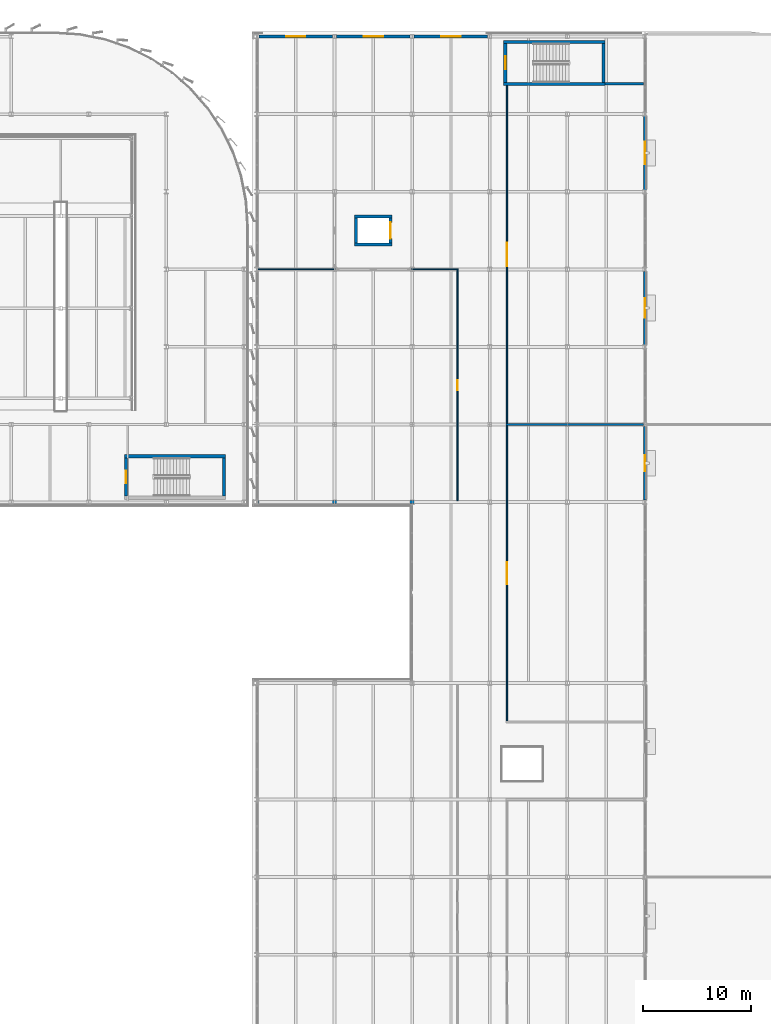
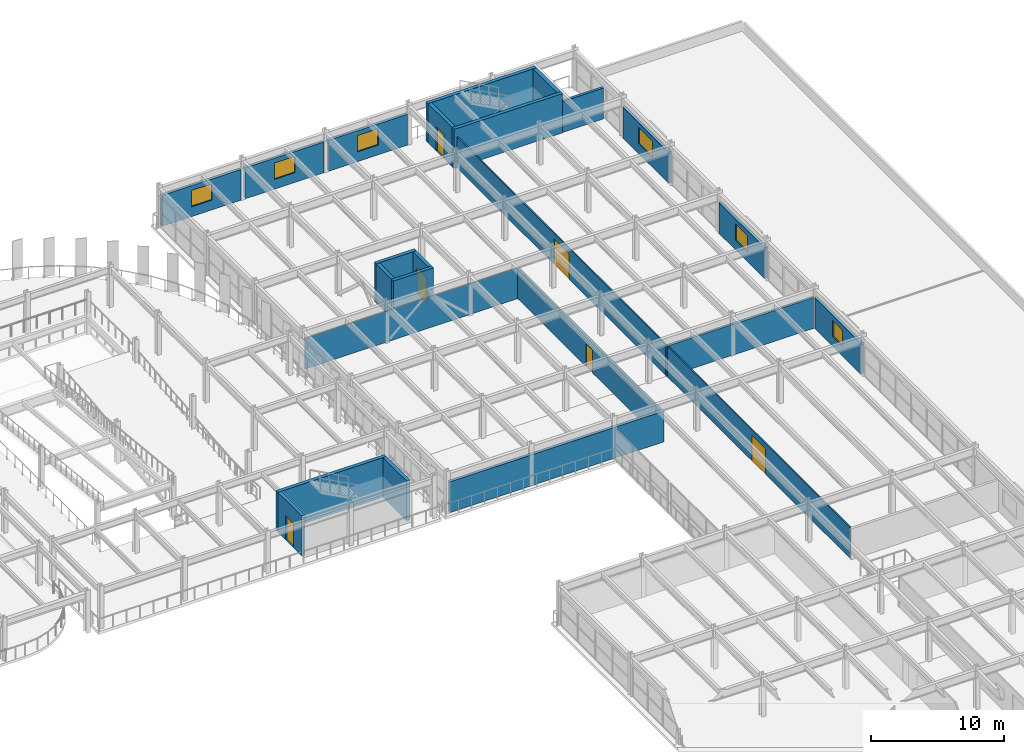
# One storey, part 56 of 80: 24 walls, 6 doors, 6 windows, 12 openings.
"""IFC4 building model written with IfcOpenShell, lengths in metres."""

from ifc_helpers import new_model, si_unit, direction, frame, frame_2d, origin, place, context, subcontext, project, spatial, rectangle, extrude, material, layer, layer_set, type_object, element, fill, save


model = new_model("IFC4")

# Units and contexts
model_context = context("Model", 3, precision=1e-05, world=origin(), true_north=direction((0.0, 1.0)))
body_context = subcontext(model_context, "Body", "Model", "MODEL_VIEW")
ifc_project = project(units=[si_unit("LENGTHUNIT", "METRE"), si_unit("AREAUNIT", "SQUARE_METRE"), si_unit("VOLUMEUNIT", "CUBIC_METRE"), si_unit("PLANEANGLEUNIT", "RADIAN"), si_unit("MASSUNIT", "GRAM", prefix="KILO")], contexts=[model_context])

# Site, building, storey
site_placement = place(None, origin())
site = spatial("IfcSite", under=ifc_project, at=site_placement, CompositionType="ELEMENT")
building_placement = place(site_placement, origin())
building = spatial("IfcBuilding", under=site, at=building_placement, Name="Vaelcorin Mobility Hub", CompositionType="ELEMENT")
storey_placement = place(building_placement, frame((0.0, 0.0, 9.300048828125)))
storey = spatial("IfcBuildingStorey", under=building, at=storey_placement, Name="L02", CompositionType="ELEMENT", Elevation=9.300048828125)

# Wall
ifc_material_1 = material(Name="Reinforced concrete f'c 45 MPa", Category="concrete")
ifc_layer_1 = layer(ifc_material_1, 0.300048828125)
ifc_layer_set_1 = layer_set([ifc_layer_1], Name="Reinforced concrete f'c 45 MPa")
wall_type_1 = type_object("IfcWallType", Name="WL-CORE-300", PredefinedType="SOLIDWALL", material=ifc_layer_set_1)
wall_1_placement = place(storey_placement, frame((141.300048828125, 81.06005859375, 0.0), z_axis=(0.0, 0.0, 1.0), x_axis=(1.0, 0.0, 0.0)))
element("IfcWall", 1, at=wall_1_placement, inside=storey, type_object=wall_type_1, Name="ST2 Fire Core Wall L02 North", PredefinedType="SOLIDWALL", context=body_context, shape_type="SweptSolid", body=[
    extrude(rectangle(XDim=9.39990234375, YDim=0.300048828125, at=frame_2d((4.699951171875, 0.0))), origin(), (0.0, 0.0, 1.0), 3.64990234375),
])

# Wall, opening, door
wall_2_placement = place(storey_placement, frame((141.449951171875, 77.35009765625, 0.0), z_axis=(0.0, 0.0, 1.0), x_axis=(0.0, 1.0, 0.0)))
wall_2 = element("IfcWall", 2, at=wall_2_placement, inside=storey, type_object=wall_type_1, Name="ST2 Fire Core Wall L02 West", PredefinedType="SOLIDWALL", context=body_context, shape_type="SweptSolid", body=[
    extrude(rectangle(XDim=3.559814453125, YDim=0.300048828125, at=frame_2d((1.77978515625, 0.0))), origin(), (0.0, 0.0, 1.0), 3.64990234375),
])
opening_1_placement = place(wall_2_placement, frame((1.179931640625, 0.0, 0.0)))
opening_1 = element("IfcOpeningElement", 3, at=opening_1_placement, cuts=wall_2, Name="Opening SD01", PredefinedType="OPENING", context=body_context, shape_type="SweptSolid", body=[
    extrude(rectangle(XDim=1.199951171875, YDim=2.199951171875, at=frame_2d((0.60009765625, 1.10009765625))), frame((0.0, 0.159912109375, 0.0), z_axis=(0.0, -1.0, 0.0), x_axis=(1.0, 0.0, 0.0)), (0.0, 0.0, 1.0), 0.320068359375),
])
ifc_material_2 = material(Name="Hollow-metal insulated steel fire door", Category="steel")
door_type_1 = type_object("IfcDoorType", Name="DR-STAIR-90", OperationType="NOTDEFINED", PredefinedType="DOOR", material=ifc_material_2)
door_1_placement = place(opening_1_placement, origin())
door_1 = element("IfcDoor", 4, at=door_1_placement, inside=storey, type_object=door_type_1, Name="ST2 Protected Stair Door L02", OperationType="SINGLE_SWING_RIGHT", OverallHeight=2.199951171875, OverallWidth=1.199951171875, PredefinedType="DOOR", context=body_context, shape_type="SweptSolid", body=[
    extrude(rectangle(XDim=1.199951171875, YDim=2.199951171875, at=frame_2d((0.60009765625, 1.10009765625))), frame((0.0, 0.02490234375, 0.0), z_axis=(0.0, -1.0, 0.0), x_axis=(1.0, 0.0, 0.0)), (0.0, 0.0, 1.0), 0.050048828125),
])
fill(opening_1, door_1)

# Walls
wall_3_placement = place(storey_placement, frame((150.550048828125, 80.909912109375, 0.0), z_axis=(0.0, 0.0, 1.0), x_axis=(0.0, -1.0, 0.0)))
element("IfcWall", 5, at=wall_3_placement, inside=storey, type_object=wall_type_1, Name="ST2 Fire Core Wall L02 East", PredefinedType="SOLIDWALL", context=body_context, shape_type="SweptSolid", body=[
    extrude(rectangle(XDim=3.559814453125, YDim=0.300048828125, at=frame_2d((1.77978515625, 0.0))), origin(), (0.0, 0.0, 1.0), 3.64990234375),
])
for number, where, z_axis, x_axis, name in (
    (6, (185.89990234375, 115.60009765625, 0.0), (0.0, 0.0, 1.0), (-1.0, 0.0, 0.0), "ST6 Fire Core Wall L02 South"),
    (7, (176.5, 119.5, 0.0), (0.0, 0.0, 1.0), (1.0, 0.0, 0.0), "ST6 Fire Core Wall L02 North"),
):
    element("IfcWall", number, at=place(storey_placement, frame(where, z_axis=z_axis, x_axis=x_axis)), inside=storey, type_object=wall_type_1, Name=name, PredefinedType="SOLIDWALL", context=body_context, shape_type="SweptSolid", body=[
        extrude(rectangle(XDim=9.39990234375, YDim=0.300048828125, at=frame_2d((4.699951171875, 0.0))), origin(), (0.0, 0.0, 1.0), 3.599853515625),
    ])

# Wall, opening, door
wall_4_placement = place(storey_placement, frame((176.64990234375, 115.75, 0.0), z_axis=(0.0, 0.0, 1.0), x_axis=(0.0, 1.0, 0.0)))
wall_4 = element("IfcWall", 8, at=wall_4_placement, inside=storey, type_object=wall_type_1, Name="ST6 Fire Core Wall L02 West", PredefinedType="SOLIDWALL", context=body_context, shape_type="SweptSolid", body=[
    extrude(rectangle(XDim=3.60009765625, YDim=0.300048828125, at=frame_2d((1.800048828125, 0.0))), origin(), (0.0, 0.0, 1.0), 3.599853515625),
])
opening_2_placement = place(wall_4_placement, frame((1.199951171875, 0.0, 0.0)))
opening_2 = element("IfcOpeningElement", 9, at=opening_2_placement, cuts=wall_4, Name="Opening SD01", PredefinedType="OPENING", context=body_context, shape_type="SweptSolid", body=[
    extrude(rectangle(XDim=1.199951171875, YDim=2.199951171875, at=frame_2d((0.60009765625, 1.10009765625))), frame((0.0, 0.159912109375, 0.0), z_axis=(0.0, -1.0, 0.0), x_axis=(1.0, 0.0, 0.0)), (0.0, 0.0, 1.0), 0.320068359375),
])
door_2_placement = place(opening_2_placement, origin())
door_2 = element("IfcDoor", 10, at=door_2_placement, inside=storey, type_object=door_type_1, Name="ST6 Protected Stair Door L02", OperationType="SINGLE_SWING_LEFT", OverallHeight=2.199951171875, OverallWidth=1.199951171875, PredefinedType="DOOR", context=body_context, shape_type="SweptSolid", body=[
    extrude(rectangle(XDim=1.199951171875, YDim=2.199951171875, at=frame_2d((0.60009765625, 1.10009765625))), frame((0.0, 0.02490234375, 0.0), z_axis=(0.0, -1.0, 0.0), x_axis=(1.0, 0.0, 0.0)), (0.0, 0.0, 1.0), 0.050048828125),
])
fill(opening_2, door_2)

# Wall
wall_5_placement = place(storey_placement, frame((185.75, 119.35009765625, 0.0), z_axis=(0.0, 0.0, 1.0), x_axis=(0.0, -1.0, 0.0)))
element("IfcWall", 11, at=wall_5_placement, inside=storey, type_object=wall_type_1, Name="ST6 Fire Core Wall L02 East", PredefinedType="SOLIDWALL", context=body_context, shape_type="SweptSolid", body=[
    extrude(rectangle(XDim=3.60009765625, YDim=0.300048828125, at=frame_2d((1.800048828125, 0.0))), origin(), (0.0, 0.0, 1.0), 3.599853515625),
])

# Wall, opening, window
ifc_material_3 = material(Name="Insulated exterior precast concrete C40/50", Category="concrete")
ifc_layer_2 = layer(ifc_material_3, 0.260009765625)
ifc_layer_set_2 = layer_set([ifc_layer_2], Name="Insulated exterior precast concrete C40/50")
wall_type_2 = type_object("IfcWallType", Name="WL-EXT-260", PredefinedType="STANDARD", material=ifc_layer_set_2)
wall_6_placement = place(storey_placement, frame((189.60009765625, 83.820068359375, 0.0), z_axis=(0.0, 0.0, 1.0), x_axis=(0.0, -1.0, 0.0)))
wall_6 = element("IfcWall", 12, at=wall_6_placement, inside=storey, type_object=wall_type_2, Name="L02 Exterior Wall V5-EW-L02-E-09", PredefinedType="STANDARD", context=body_context, shape_type="SweptSolid", body=[
    extrude(rectangle(XDim=6.840087890625, YDim=0.260009765625, at=frame_2d((3.419921875, 0.0))), origin(), (0.0, 0.0, 1.0), 2.827880859375),
])
opening_3_placement = place(wall_6_placement, frame((2.669921875, 0.0, 0.89990234375)))
opening_3 = element("IfcOpeningElement", 13, at=opening_3_placement, cuts=wall_6, Name="Opening WN13", PredefinedType="OPENING", context=body_context, shape_type="SweptSolid", body=[
    extrude(rectangle(XDim=1.5, YDim=1.5, at=frame_2d((0.75, 0.75))), frame((0.0, 0.139892578125, 0.0), z_axis=(0.0, -1.0, 0.0), x_axis=(1.0, 0.0, 0.0)), (0.0, 0.0, 1.0), 0.280029296875),
])
ifc_material_4 = material(Name="Double-glazed low-E window unit", Category="glass")
window_type_1 = type_object("IfcWindowType", Name="WIN-1500X1500", PartitioningType="SINGLE_PANEL", PredefinedType="WINDOW", material=ifc_material_4)
window_1_placement = place(opening_3_placement, origin())
window_1 = element("IfcWindow", 14, at=window_1_placement, inside=storey, type_object=window_type_1, Name="L02 Window V5-EW-L02-E-09-WN", OverallHeight=1.5, OverallWidth=1.5, PartitioningType="SINGLE_PANEL", PredefinedType="WINDOW", context=body_context, shape_type="SweptSolid", body=[
    extrude(rectangle(XDim=1.5, YDim=1.5, at=frame_2d((0.75, 0.75))), frame((0.0, 0.030029296875, 0.0), z_axis=(0.0, -1.0, 0.0), x_axis=(1.0, 0.0, 0.0)), (0.0, 0.0, 1.0), 0.06005859375),
])
fill(opening_3, window_1)

wall_7_placement = place(storey_placement, frame((189.60009765625, 98.219970703125, 0.0), z_axis=(0.0, 0.0, 1.0), x_axis=(0.0, -1.0, 0.0)))
wall_7 = element("IfcWall", 15, at=wall_7_placement, inside=storey, type_object=wall_type_2, Name="L02 Exterior Wall V5-EW-L02-E-11", PredefinedType="STANDARD", context=body_context, shape_type="SweptSolid", body=[
    extrude(rectangle(XDim=6.840087890625, YDim=0.260009765625, at=frame_2d((3.419921875, 0.0))), origin(), (0.0, 0.0, 1.0), 2.827880859375),
])
opening_4_placement = place(wall_7_placement, frame((2.52001953125, 0.0, 0.89990234375)))
opening_4 = element("IfcOpeningElement", 16, at=opening_4_placement, cuts=wall_7, Name="Opening WN12", PredefinedType="OPENING", context=body_context, shape_type="SweptSolid", body=[
    extrude(rectangle(XDim=1.800048828125, YDim=1.5, at=frame_2d((0.89990234375, 0.75))), frame((0.0, 0.139892578125, 0.0), z_axis=(0.0, -1.0, 0.0), x_axis=(1.0, 0.0, 0.0)), (0.0, 0.0, 1.0), 0.280029296875),
])
window_type_2 = type_object("IfcWindowType", Name="WIN-1800X1500", PartitioningType="SINGLE_PANEL", PredefinedType="WINDOW", material=ifc_material_4)
window_2_placement = place(opening_4_placement, origin())
window_2 = element("IfcWindow", 17, at=window_2_placement, inside=storey, type_object=window_type_2, Name="L02 Window V5-EW-L02-E-11-WN", OverallHeight=1.5, OverallWidth=1.800048828125, PartitioningType="SINGLE_PANEL", PredefinedType="WINDOW", context=body_context, shape_type="SweptSolid", body=[
    extrude(rectangle(XDim=1.800048828125, YDim=1.5, at=frame_2d((0.89990234375, 0.75))), frame((0.0, 0.030029296875, 0.0), z_axis=(0.0, -1.0, 0.0), x_axis=(1.0, 0.0, 0.0)), (0.0, 0.0, 1.0), 0.06005859375),
])
fill(opening_4, window_2)

wall_8_placement = place(storey_placement, frame((189.60009765625, 112.6201171875, 0.0), z_axis=(0.0, 0.0, 1.0), x_axis=(0.0, -1.0, 0.0)))
wall_8 = element("IfcWall", 18, at=wall_8_placement, inside=storey, type_object=wall_type_2, Name="L02 Exterior Wall V5-EW-L02-E-13", PredefinedType="STANDARD", context=body_context, shape_type="SweptSolid", body=[
    extrude(rectangle(XDim=6.840087890625, YDim=0.260009765625, at=frame_2d((3.419921875, 0.0))), origin(), (0.0, 0.0, 1.0), 2.827880859375),
])
opening_5_placement = place(wall_8_placement, frame((2.3701171875, 0.0, 0.89990234375)))
opening_5 = element("IfcOpeningElement", 19, at=opening_5_placement, cuts=wall_8, Name="Opening WN19", PredefinedType="OPENING", context=body_context, shape_type="SweptSolid", body=[
    extrude(rectangle(XDim=2.10009765625, YDim=1.5, at=frame_2d((1.050048828125, 0.75))), frame((0.0, 0.139892578125, 0.0), z_axis=(0.0, -1.0, 0.0), x_axis=(1.0, 0.0, 0.0)), (0.0, 0.0, 1.0), 0.280029296875),
])
window_type_3 = type_object("IfcWindowType", Name="WIN-2100X1500", PartitioningType="SINGLE_PANEL", PredefinedType="WINDOW", material=ifc_material_4)
window_3_placement = place(opening_5_placement, origin())
window_3 = element("IfcWindow", 20, at=window_3_placement, inside=storey, type_object=window_type_3, Name="L02 Window V5-EW-L02-E-13-WN", OverallHeight=1.5, OverallWidth=2.10009765625, PartitioningType="SINGLE_PANEL", PredefinedType="WINDOW", context=body_context, shape_type="SweptSolid", body=[
    extrude(rectangle(XDim=2.10009765625, YDim=1.5, at=frame_2d((1.050048828125, 0.75))), frame((0.0, 0.030029296875, 0.0), z_axis=(0.0, -1.0, 0.0), x_axis=(1.0, 0.0, 0.0)), (0.0, 0.0, 1.0), 0.06005859375),
])
fill(opening_5, window_3)

wall_9_placement = place(storey_placement, frame((153.791015625, 120.0, 0.0), z_axis=(0.0, 0.0, 1.0), x_axis=(1.0, 0.0, 0.0)))
wall_9 = element("IfcWall", 21, at=wall_9_placement, inside=storey, type_object=wall_type_2, Name="L02 Exterior Wall V5-EW-L02-N-01", PredefinedType="STANDARD", context=body_context, shape_type="SweptSolid", body=[
    extrude(rectangle(XDim=6.81787109375, YDim=0.260009765625, at=frame_2d((3.408935546875, 0.0))), origin(), (0.0, 0.0, 1.0), 2.827880859375),
])
opening_6_placement = place(wall_9_placement, frame((2.509033203125, 0.0, 0.89990234375)))
opening_6 = element("IfcOpeningElement", 22, at=opening_6_placement, cuts=wall_9, Name="Opening WN12", PredefinedType="OPENING", context=body_context, shape_type="SweptSolid", body=[
    extrude(rectangle(XDim=1.800048828125, YDim=1.5, at=frame_2d((0.89990234375, 0.75))), frame((0.0, 0.139892578125, 0.0), z_axis=(0.0, -1.0, 0.0), x_axis=(1.0, 0.0, 0.0)), (0.0, 0.0, 1.0), 0.280029296875),
])
window_4_placement = place(opening_6_placement, origin())
window_4 = element("IfcWindow", 23, at=window_4_placement, inside=storey, type_object=window_type_2, Name="L02 Window V5-EW-L02-N-01-WN", OverallHeight=1.5, OverallWidth=1.800048828125, PartitioningType="SINGLE_PANEL", PredefinedType="WINDOW", context=body_context, shape_type="SweptSolid", body=[
    extrude(rectangle(XDim=1.800048828125, YDim=1.5, at=frame_2d((0.89990234375, 0.75))), frame((0.0, 0.030029296875, 0.0), z_axis=(0.0, -1.0, 0.0), x_axis=(1.0, 0.0, 0.0)), (0.0, 0.0, 1.0), 0.06005859375),
])
fill(opening_6, window_4)

wall_10_placement = place(storey_placement, frame((160.990966796875, 120.0, 0.0), z_axis=(0.0, 0.0, 1.0), x_axis=(1.0, 0.0, 0.0)))
wall_10 = element("IfcWall", 24, at=wall_10_placement, inside=storey, type_object=wall_type_2, Name="L02 Exterior Wall V5-EW-L02-N-02", PredefinedType="STANDARD", context=body_context, shape_type="SweptSolid", body=[
    extrude(rectangle(XDim=6.818115234375, YDim=0.260009765625, at=frame_2d((3.4091796875, 0.0))), origin(), (0.0, 0.0, 1.0), 2.827880859375),
])
opening_7_placement = place(wall_10_placement, frame((2.509033203125, 0.0, 0.89990234375)))
opening_7 = element("IfcOpeningElement", 25, at=opening_7_placement, cuts=wall_10, Name="Opening WN12", PredefinedType="OPENING", context=body_context, shape_type="SweptSolid", body=[
    extrude(rectangle(XDim=1.800048828125, YDim=1.5, at=frame_2d((0.89990234375, 0.75))), frame((0.0, 0.139892578125, 0.0), z_axis=(0.0, -1.0, 0.0), x_axis=(1.0, 0.0, 0.0)), (0.0, 0.0, 1.0), 0.280029296875),
])
window_5_placement = place(opening_7_placement, origin())
window_5 = element("IfcWindow", 26, at=window_5_placement, inside=storey, type_object=window_type_2, Name="L02 Window V5-EW-L02-N-02-WN", OverallHeight=1.5, OverallWidth=1.800048828125, PartitioningType="SINGLE_PANEL", PredefinedType="WINDOW", context=body_context, shape_type="SweptSolid", body=[
    extrude(rectangle(XDim=1.800048828125, YDim=1.5, at=frame_2d((0.89990234375, 0.75))), frame((0.0, 0.030029296875, 0.0), z_axis=(0.0, -1.0, 0.0), x_axis=(1.0, 0.0, 0.0)), (0.0, 0.0, 1.0), 0.06005859375),
])
fill(opening_7, window_5)

wall_11_placement = place(storey_placement, frame((168.19091796875, 120.0, 0.0), z_axis=(0.0, 0.0, 1.0), x_axis=(1.0, 0.0, 0.0)))
wall_11 = element("IfcWall", 27, at=wall_11_placement, inside=storey, type_object=wall_type_2, Name="L02 Exterior Wall V5-EW-L02-N-03", PredefinedType="STANDARD", context=body_context, shape_type="SweptSolid", body=[
    extrude(rectangle(XDim=6.818115234375, YDim=0.260009765625, at=frame_2d((3.4091796875, 0.0))), origin(), (0.0, 0.0, 1.0), 2.827880859375),
])
opening_8_placement = place(wall_11_placement, frame((2.509033203125, 0.0, 0.89990234375)))
opening_8 = element("IfcOpeningElement", 28, at=opening_8_placement, cuts=wall_11, Name="Opening WN12", PredefinedType="OPENING", context=body_context, shape_type="SweptSolid", body=[
    extrude(rectangle(XDim=1.800048828125, YDim=1.5, at=frame_2d((0.89990234375, 0.75))), frame((0.0, 0.139892578125, 0.0), z_axis=(0.0, -1.0, 0.0), x_axis=(1.0, 0.0, 0.0)), (0.0, 0.0, 1.0), 0.280029296875),
])
window_6_placement = place(opening_8_placement, origin())
window_6 = element("IfcWindow", 29, at=window_6_placement, inside=storey, type_object=window_type_2, Name="L02 Window V5-EW-L02-N-03-WN", OverallHeight=1.5, OverallWidth=1.800048828125, PartitioningType="SINGLE_PANEL", PredefinedType="WINDOW", context=body_context, shape_type="SweptSolid", body=[
    extrude(rectangle(XDim=1.800048828125, YDim=1.5, at=frame_2d((0.89990234375, 0.75))), frame((0.0, 0.030029296875, 0.0), z_axis=(0.0, -1.0, 0.0), x_axis=(1.0, 0.0, 0.0)), (0.0, 0.0, 1.0), 0.06005859375),
])
fill(opening_8, window_6)

# Wall, opening, door
ifc_material_5 = material(Name="Fire-rated acoustic steel-stud gypsum board", Category="steel")
ifc_layer_3 = layer(ifc_material_5, 0.10498046875)
ifc_layer_set_3 = layer_set([ifc_layer_3], Name="Fire-rated acoustic steel-stud gypsum board")
wall_type_3 = type_object("IfcWallType", Name="WL-PART-105", PredefinedType="PARTITIONING", material=ifc_layer_set_3)
wall_12_placement = place(storey_placement, frame((176.800048828125, 56.50390625, 0.0), z_axis=(0.0, 0.0, 1.0), x_axis=(0.0, 1.0, 0.0)))
wall_12 = element("IfcWall", 30, at=wall_12_placement, inside=storey, type_object=wall_type_3, Name="ITS Server and Telecoms Room Partition West", PredefinedType="PARTITIONING", context=body_context, shape_type="SweptSolid", body=[
    extrude(rectangle(XDim=27.38818359375, YDim=0.10498046875, at=frame_2d((13.694091796875, 0.0))), origin(), (0.0, 0.0, 1.0), 2.822998046875),
])
opening_9_placement = place(wall_12_placement, frame((12.6689453125, 0.0, 0.0)))
opening_9 = element("IfcOpeningElement", 31, at=opening_9_placement, cuts=wall_12, Name="Opening ID51", PredefinedType="OPENING", context=body_context, shape_type="SweptSolid", body=[
    extrude(rectangle(XDim=2.050048828125, YDim=2.340087890625, at=frame_2d((1.02490234375, 1.169921875))), frame((0.0, 0.0625, 0.0), z_axis=(0.0, -1.0, 0.0), x_axis=(1.0, 0.0, 0.0)), (0.0, 0.0, 1.0), 0.125),
])
door_type_2 = type_object("IfcDoorType", Name="DR-INT-51", OperationType="NOTDEFINED", PredefinedType="DOOR", material=ifc_material_2)
door_3_placement = place(opening_9_placement, origin())
door_3 = element("IfcDoor", 32, at=door_3_placement, inside=storey, type_object=door_type_2, Name="ITS Server and Telecoms Room Door", OperationType="SINGLE_SWING_LEFT", OverallHeight=2.340087890625, OverallWidth=2.050048828125, PredefinedType="DOOR", context=body_context, shape_type="SweptSolid", body=[
    extrude(rectangle(XDim=2.050048828125, YDim=2.340087890625, at=frame_2d((1.02490234375, 1.169921875))), frame((0.0, 0.02490234375, 0.0), z_axis=(0.0, -1.0, 0.0), x_axis=(1.0, 0.0, 0.0)), (0.0, 0.0, 1.0), 0.050048828125),
])
fill(opening_9, door_3)

ifc_layer_4 = layer(ifc_material_5, 0.110107421875)
ifc_layer_set_4 = layer_set([ifc_layer_4], Name="Fire-rated acoustic steel-stud gypsum board")
wall_type_4 = type_object("IfcWallType", Name="WL-PART-110", PredefinedType="PARTITIONING", material=ifc_layer_set_4)
wall_13_placement = place(storey_placement, frame((176.800048828125, 84.10791015625, 0.0), z_axis=(0.0, 0.0, 1.0), x_axis=(0.0, 1.0, 0.0)))
wall_13 = element("IfcWall", 33, at=wall_13_placement, inside=storey, type_object=wall_type_4, Name="East Wing Air-Handling Plant Partition West", PredefinedType="PARTITIONING", context=body_context, shape_type="SweptSolid", body=[
    extrude(rectangle(XDim=31.340087890625, YDim=0.110107421875, at=frame_2d((15.669921875, 0.0))), origin(), (0.0, 0.0, 1.0), 2.822998046875),
])
opening_10_placement = place(wall_13_placement, frame((14.570068359375, 0.0, 0.0)))
opening_10 = element("IfcOpeningElement", 34, at=opening_10_placement, cuts=wall_13, Name="Opening ID52", PredefinedType="OPENING", context=body_context, shape_type="SweptSolid", body=[
    extrude(rectangle(XDim=2.199951171875, YDim=2.340087890625, at=frame_2d((1.10009765625, 1.169921875))), frame((0.0, 0.06494140625, 0.0), z_axis=(0.0, -1.0, 0.0), x_axis=(1.0, 0.0, 0.0)), (0.0, 0.0, 1.0), 0.130126953125),
])
door_type_3 = type_object("IfcDoorType", Name="DR-INT-52", OperationType="NOTDEFINED", PredefinedType="DOOR", material=ifc_material_2)
door_4_placement = place(opening_10_placement, origin())
door_4 = element("IfcDoor", 35, at=door_4_placement, inside=storey, type_object=door_type_3, Name="East Wing Air-Handling Plant Door", OperationType="SINGLE_SWING_RIGHT", OverallHeight=2.340087890625, OverallWidth=2.199951171875, PredefinedType="DOOR", context=body_context, shape_type="SweptSolid", body=[
    extrude(rectangle(XDim=2.199951171875, YDim=2.340087890625, at=frame_2d((1.10009765625, 1.169921875))), frame((0.0, 0.02490234375, 0.0), z_axis=(0.0, -1.0, 0.0), x_axis=(1.0, 0.0, 0.0)), (0.0, 0.0, 1.0), 0.050048828125),
])
fill(opening_10, door_4)

ifc_layer_5 = layer(ifc_material_5, 0.1201171875)
ifc_layer_set_5 = layer_set([ifc_layer_5], Name="Fire-rated acoustic steel-stud gypsum board")
wall_type_5 = type_object("IfcWallType", Name="WL-PART-120", PredefinedType="PARTITIONING", material=ifc_layer_set_5)
wall_14_placement = place(storey_placement, frame((172.199951171875, 98.35107421875, 0.0), z_axis=(0.0, 0.0, 1.0), x_axis=(0.0, -1.0, 0.0)))
wall_14 = element("IfcWall", 36, at=wall_14_placement, inside=storey, type_object=wall_type_5, Name="Staff Public Restrooms and Changing Partition East", PredefinedType="PARTITIONING", context=body_context, shape_type="SweptSolid", body=[
    extrude(rectangle(XDim=21.4140625, YDim=0.1201171875, at=frame_2d((10.70703125, 0.0))), origin(), (0.0, 0.0, 1.0), 2.822998046875),
])
opening_11_placement = place(wall_14_placement, frame((10.237060546875, 0.0, 0.0)))
opening_11 = element("IfcOpeningElement", 37, at=opening_11_placement, cuts=wall_14, Name="Opening ID02", PredefinedType="OPENING", context=body_context, shape_type="SweptSolid", body=[
    extrude(rectangle(XDim=0.93994140625, YDim=2.10009765625, at=frame_2d((0.469970703125, 1.050048828125))), frame((0.0, 0.070068359375, 0.0), z_axis=(0.0, -1.0, 0.0), x_axis=(1.0, 0.0, 0.0)), (0.0, 0.0, 1.0), 0.14013671875),
])
ifc_material_6 = material(Name="Solid-core hardwood fire door assembly", Category="wood")
door_type_4 = type_object("IfcDoorType", Name="DR-INT-02", OperationType="NOTDEFINED", PredefinedType="DOOR", material=ifc_material_6)
door_5_placement = place(opening_11_placement, origin())
door_5 = element("IfcDoor", 38, at=door_5_placement, inside=storey, type_object=door_type_4, Name="Staff Public Restrooms and Changing Door", OperationType="SINGLE_SWING_RIGHT", OverallHeight=2.10009765625, OverallWidth=0.93994140625, PredefinedType="DOOR", context=body_context, shape_type="SweptSolid", body=[
    extrude(rectangle(XDim=0.93994140625, YDim=2.10009765625, at=frame_2d((0.469970703125, 1.050048828125))), frame((0.0, 0.02490234375, 0.0), z_axis=(0.0, -1.0, 0.0), x_axis=(1.0, 0.0, 0.0)), (0.0, 0.0, 1.0), 0.050048828125),
])
fill(opening_11, door_5)

# Walls
ifc_material_7 = material(Name="Reinforced acoustic concrete masonry C30/37", Category="masonry")
ifc_layer_6 = layer(ifc_material_7, 0.2119140625)
ifc_layer_set_6 = layer_set([ifc_layer_6], Name="Reinforced acoustic concrete masonry C30/37")
wall_type_6 = type_object("IfcWallType", Name="WL-PART-212", PredefinedType="PARTITIONING", material=ifc_layer_set_6)
wall_15_placement = place(storey_placement, frame((176.719970703125, 84.0, 0.0), z_axis=(0.0, 0.0, 1.0), x_axis=(1.0, 0.0, 0.0)))
element("IfcWall", 39, at=wall_15_placement, inside=storey, type_object=wall_type_6, Name="ITS Server and Telecoms Room Partition North", PredefinedType="PARTITIONING", context=body_context, shape_type="SweptSolid", body=[
    extrude(rectangle(XDim=12.748046875, YDim=0.2119140625, at=frame_2d((6.3740234375, 0.0))), origin(), (0.0, 0.0, 1.0), 2.822998046875),
])
ifc_layer_7 = layer(ifc_material_7, 0.22509765625)
ifc_layer_set_7 = layer_set([ifc_layer_7], Name="Reinforced acoustic concrete masonry C30/37")
wall_type_7 = type_object("IfcWallType", Name="WL-PART-225", PredefinedType="PARTITIONING", material=ifc_layer_set_7)
wall_16_placement = place(storey_placement, frame((185.902099609375, 115.60009765625, 0.0), z_axis=(0.0, 0.0, 1.0), x_axis=(1.0, 0.0, 0.0)))
element("IfcWall", 40, at=wall_16_placement, inside=storey, type_object=wall_type_7, Name="East Wing Air-Handling Plant Partition North", PredefinedType="PARTITIONING", context=body_context, shape_type="SweptSolid", body=[
    extrude(rectangle(XDim=3.56591796875, YDim=0.22509765625, at=frame_2d((1.782958984375, 0.0))), origin(), (0.0, 0.0, 1.0), 2.822998046875),
])
ifc_layer_8 = layer(ifc_material_7, 0.27001953125)
ifc_layer_set_8 = layer_set([ifc_layer_8], Name="Reinforced acoustic concrete masonry C30/37")
wall_type_8 = type_object("IfcWallType", Name="WL-PART-270", PredefinedType="PARTITIONING", material=ifc_layer_set_8)
wall_17_placement = place(storey_placement, frame((172.280029296875, 76.800048828125, 0.0), z_axis=(0.0, 0.0, 1.0), x_axis=(-1.0, 0.0, 0.0)))
element("IfcWall", 41, at=wall_17_placement, inside=storey, type_object=wall_type_8, Name="Staff Public Restrooms and Changing Partition South", PredefinedType="PARTITIONING", context=body_context, shape_type="SweptSolid", body=[
    extrude(rectangle(XDim=18.548095703125, YDim=0.27001953125, at=frame_2d((9.27392578125, 0.0))), origin(), (0.0, 0.0, 1.0), 2.822998046875),
])
ifc_layer_9 = layer(ifc_material_5, 0.094970703125)
ifc_layer_set_9 = layer_set([ifc_layer_9], Name="Fire-rated acoustic steel-stud gypsum board")
wall_type_9 = type_object("IfcWallType", Name="WL-PART-95", PredefinedType="PARTITIONING", material=ifc_layer_set_9)
wall_18_placement = place(storey_placement, frame((153.73193359375, 98.39990234375, 0.0), z_axis=(0.0, 0.0, 1.0), x_axis=(1.0, 0.0, 0.0)))
element("IfcWall", 42, at=wall_18_placement, inside=storey, type_object=wall_type_9, Name="Staff Public Restrooms and Changing Partition North", PredefinedType="PARTITIONING", context=body_context, shape_type="SweptSolid", body=[
    extrude(rectangle(XDim=18.548095703125, YDim=0.094970703125, at=frame_2d((9.27392578125, 0.0))), origin(), (0.0, 0.0, 1.0), 2.822998046875),
])
ifc_layer_10 = layer(ifc_material_1, 0.2900390625)
ifc_layer_set_10 = layer_set([ifc_layer_10], Name="Reinforced concrete f'c 45 MPa")
wall_type_10 = type_object("IfcWallType", Name="WL-SHEAR-290", PredefinedType="SHEAR", material=ifc_layer_set_10)
for number, where, z_axis, x_axis, name in (
    (43, (166.139892578125, 100.705078125, 0.0), (0.0, 0.0, 1.0), (-1.0, 0.0, 0.0), "LF6 Lift Shaft Shear Wall L02 South"),
    (44, (162.659912109375, 103.294921875, 0.0), (0.0, 0.0, 1.0), (1.0, 0.0, 0.0), "LF6 Lift Shaft Shear Wall L02 North"),
):
    element("IfcWall", number, at=place(storey_placement, frame(where, z_axis=z_axis, x_axis=x_axis)), inside=storey, type_object=wall_type_10, Name=name, PredefinedType="SHEAR", context=body_context, shape_type="SweptSolid", body=[
        extrude(rectangle(XDim=3.47998046875, YDim=0.2900390625, at=frame_2d((1.739990234375, 0.0))), origin(), (0.0, 0.0, 1.0), 3.599853515625),
    ])
wall_19_placement = place(storey_placement, frame((162.804931640625, 100.85009765625, 0.0), z_axis=(0.0, 0.0, 1.0), x_axis=(0.0, 1.0, 0.0)))
element("IfcWall", 45, at=wall_19_placement, inside=storey, type_object=wall_type_10, Name="LF6 Lift Shaft Shear Wall L02 West", PredefinedType="SHEAR", context=body_context, shape_type="SweptSolid", body=[
    extrude(rectangle(XDim=2.2998046875, YDim=0.2900390625, at=frame_2d((1.14990234375, 0.0))), origin(), (0.0, 0.0, 1.0), 3.599853515625),
])

# Wall, opening, door
wall_20_placement = place(storey_placement, frame((165.9951171875, 103.14990234375, 0.0), z_axis=(0.0, 0.0, 1.0), x_axis=(0.0, -1.0, 0.0)))
wall_20 = element("IfcWall", 46, at=wall_20_placement, inside=storey, type_object=wall_type_10, Name="LF6 Lift Shaft Shear Wall L02 East", PredefinedType="SHEAR", context=body_context, shape_type="SweptSolid", body=[
    extrude(rectangle(XDim=2.2998046875, YDim=0.2900390625, at=frame_2d((1.14990234375, 0.0))), origin(), (0.0, 0.0, 1.0), 3.599853515625),
])
opening_12_placement = place(wall_20_placement, frame((0.39990234375, 0.0, 0.0)))
opening_12 = element("IfcOpeningElement", 47, at=opening_12_placement, cuts=wall_20, Name="Opening LD4", PredefinedType="OPENING", context=body_context, shape_type="SweptSolid", body=[
    extrude(rectangle(XDim=1.5, YDim=2.300048828125, at=frame_2d((0.75, 1.14990234375))), frame((0.0, 0.155029296875, 0.0), z_axis=(0.0, -1.0, 0.0), x_axis=(1.0, 0.0, 0.0)), (0.0, 0.0, 1.0), 0.31005859375),
])
ifc_material_8 = material(Name="Brushed stainless steel 316L", Category="steel")
door_type_5 = type_object("IfcDoorType", Name="DR-LIFT-LD4", OperationType="NOTDEFINED", PredefinedType="DOOR", material=ifc_material_8)
door_6_placement = place(opening_12_placement, origin())
door_6 = element("IfcDoor", 48, at=door_6_placement, inside=storey, type_object=door_type_5, Name="LF6 Lift Landing Sliding Door L02", OperationType="DOUBLE_DOOR_SLIDING", OverallHeight=2.300048828125, OverallWidth=1.5, PredefinedType="DOOR", context=body_context, shape_type="SweptSolid", body=[
    extrude(rectangle(XDim=1.5, YDim=2.300048828125, at=frame_2d((0.75, 1.14990234375))), frame((0.0, 0.02490234375, 0.0), z_axis=(0.0, -1.0, 0.0), x_axis=(1.0, 0.0, 0.0)), (0.0, 0.0, 1.0), 0.050048828125),
])
fill(opening_12, door_6)

save(model, "model.ifc")
